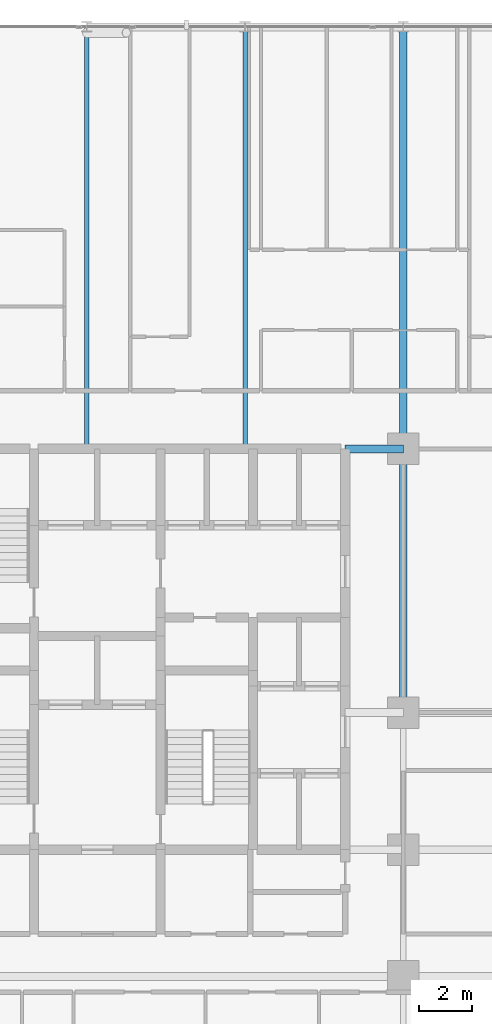
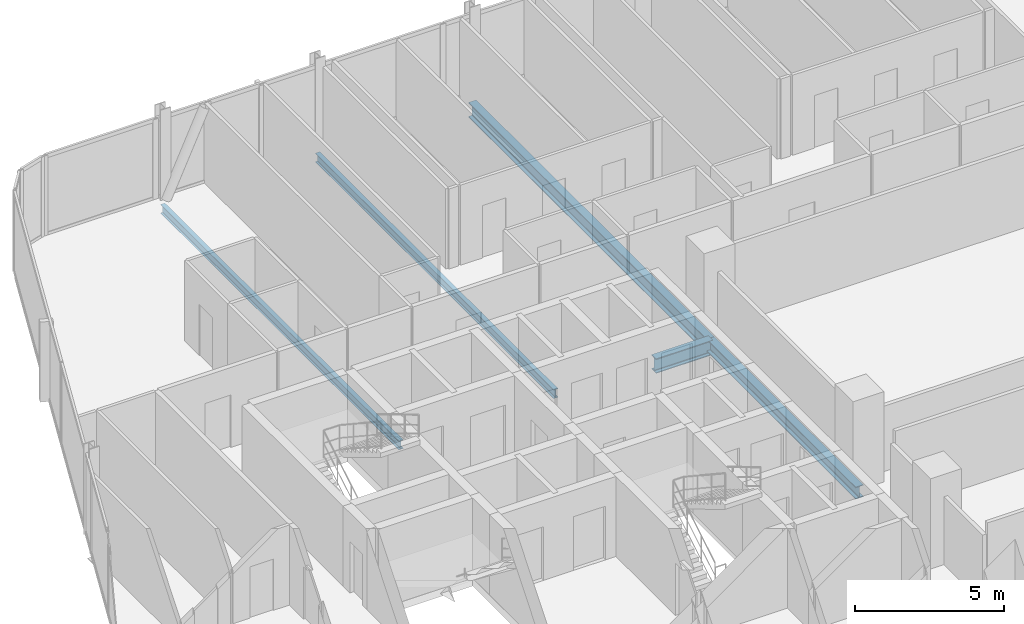
# One storey, part 13 of 34: 5 beams.
"""IFC4 building model written with IfcOpenShell, lengths in metres."""

import ifcopenshell
import ifcopenshell.guid

model = None  # the IFC model being written
_history = None  # IfcOwnerHistory: only IFC2X3 demands one
_inside = {}  # id of a spatial element -> (the spatial element, [elements in it])
_under = {}  # id of a project, library or spatial element -> (it, [spatial elements below it])
_declared = {}  # id of a project -> (the project, [libraries it declares])
_typed = {}  # id of a type object -> (the type object, [elements of that type])
_made_of = {}  # id of a material, layer set ... -> (it, [elements and type objects made of it])


def new_model(schema):
    """Start an empty IFC model of exactly this schema.

    Asked for "IFC4X3", IfcOpenShell would pick the latest addendum, in which some entities
    have other attributes; the version numbers below select the first issue.
    IFC2X3 requires an IfcOwnerHistory on every rooted entity: one is made here for all.
    """
    global model, _history
    if schema == "IFC4X3":
        model = ifcopenshell.file(schema_version=(4, 3, 0, 0))
    else:
        model = ifcopenshell.file(schema=schema)
    _inside.clear()
    _under.clear()
    _declared.clear()
    _typed.clear()
    _made_of.clear()
    _history = None
    if model.schema == "IFC2X3":
        org = make("IfcOrganization", Name="unknown")
        user = make(
            "IfcPersonAndOrganization",
            ThePerson=make("IfcPerson", FamilyName="unknown"),
            TheOrganization=org,
        )
        app = make(
            "IfcApplication",
            ApplicationDeveloper=org,
            Version="unknown",
            ApplicationFullName="unknown",
            ApplicationIdentifier="unknown",
        )
        _history = make(
            "IfcOwnerHistory",
            OwningUser=user,
            OwningApplication=app,
            ChangeAction="ADDED",
            CreationDate=0,
        )
    return model


def make(cls, **values):
    """One entity of the class cls with the attributes given. An attribute that is None is left unset."""
    return model.create_entity(
        cls, **{name: value for name, value in values.items() if value is not None}
    )


def rooted(cls, **values):
    """An entity with a GlobalId (a new one), such as an element, a storey or a relation."""
    return make(cls, GlobalId=ifcopenshell.guid.new(), OwnerHistory=_history, **values)


def si_unit(unit_type, name, prefix=None):
    """IfcSIUnit, for example si_unit("LENGTHUNIT", "METRE", prefix="MILLI")."""
    return make("IfcSIUnit", UnitType=unit_type, Prefix=prefix, Name=name)


def assignment(units):
    """IfcUnitAssignment: the units of a project."""
    return None if units is None else make("IfcUnitAssignment", Units=units)


def point(xyz):
    """IfcCartesianPoint."""
    return None if xyz is None else make("IfcCartesianPoint", Coordinates=xyz)


def direction(xyz):
    """IfcDirection."""
    return None if xyz is None else make("IfcDirection", DirectionRatios=xyz)


def frame(location, z_axis=None, x_axis=None):
    """IfcAxis2Placement3D, a coordinate frame: its origin and axes. An axis left out is left unset."""
    return make(
        "IfcAxis2Placement3D",
        Location=point(location),
        Axis=direction(z_axis),
        RefDirection=direction(x_axis),
    )


def frame_2d(location, x_axis=None):
    """IfcAxis2Placement2D, a coordinate frame in the plane: its origin and x axis."""
    return make(
        "IfcAxis2Placement2D", Location=point(location), RefDirection=direction(x_axis)
    )


def origin():
    """The frame at (0, 0, 0) with its axes left unset."""
    return frame((0.0, 0.0, 0.0))


def origin_2d():
    """The frame at (0, 0) in the plane with its x axis left unset."""
    return frame_2d((0.0, 0.0))


def place(relative_to, where):
    """IfcLocalPlacement: puts the frame where relative to a parent placement (None: the world)."""
    return make(
        "IfcLocalPlacement", PlacementRelTo=relative_to, RelativePlacement=where
    )


def context(
    kind, dimensions, precision=None, world=None, true_north=None, identifier=None
):
    """IfcGeometricRepresentationContext, for example the 3D "Model" context."""
    return make(
        "IfcGeometricRepresentationContext",
        ContextIdentifier=identifier,
        ContextType=kind,
        CoordinateSpaceDimension=dimensions,
        Precision=precision,
        WorldCoordinateSystem=world,
        TrueNorth=true_north,
    )


def subcontext(parent, identifier, kind, view, scale=None):
    """IfcGeometricRepresentationSubContext, for example "Body" below "Model"."""
    return make(
        "IfcGeometricRepresentationSubContext",
        ContextIdentifier=identifier,
        ContextType=kind,
        ParentContext=parent,
        TargetScale=scale,
        TargetView=view,
    )


def project(units=None, contexts=None):
    """IfcProject with its units and contexts."""
    return rooted(
        "IfcProject",
        Name="project",
        RepresentationContexts=contexts,
        UnitsInContext=assignment(units),
    )


def spatial(cls, under=None, at=None, **own):
    """A site, building, storey or space (cls), placed at a placement, below another one or the project."""
    s = rooted(cls, ObjectPlacement=at, **own)
    if under is not None:
        _under.setdefault(under.id(), (under, []))[1].append(s)
    return s


def profile(cls, at=None, kind="AREA", **sizes):
    """A parametric profile (cls). Its sizes go by their IFC names, for example OverallWidth=200.0."""
    return make(cls, ProfileType=kind, Position=at, **sizes)


def i_section(**sizes):
    """IfcIShapeProfileDef."""
    return profile("IfcIShapeProfileDef", **sizes)


def extrude(swept, where, along, depth):
    """IfcExtrudedAreaSolid: the profile swept, set in the frame where, extruded along a direction by depth."""
    return make(
        "IfcExtrudedAreaSolid",
        SweptArea=swept,
        Position=where,
        ExtrudedDirection=direction(along),
        Depth=depth,
    )


def shape(context_of_items, identifier, shape_type, items):
    """IfcShapeRepresentation: the items that make up one representation, for example the "Body"."""
    return make(
        "IfcShapeRepresentation",
        ContextOfItems=context_of_items,
        RepresentationIdentifier=identifier,
        RepresentationType=shape_type,
        Items=items,
    )


def material(Name=None, Category=None):
    """IfcMaterial."""
    return make("IfcMaterial", Name=Name, Category=Category)


def material_profile(
    of_material, cross_section, Name=None, Category=None, Priority=None
):
    """IfcMaterialProfile: a cross section and its material."""
    return make(
        "IfcMaterialProfile",
        Name=Name,
        Material=of_material,
        Profile=cross_section,
        Priority=Priority,
        Category=Category,
    )


def profile_set(profiles, Name=None, composite=None):
    """IfcMaterialProfileSet."""
    return make(
        "IfcMaterialProfileSet",
        Name=Name,
        MaterialProfiles=profiles,
        CompositeProfile=composite,
    )


def made_of(thing, what):
    """Note that an element or type object is made of a material, layer set ...; save() writes the relation."""
    if what is not None:
        _made_of.setdefault(what.id(), (what, []))[1].append(thing)
    return thing


def type_object(cls, material=None, **own):
    """A type object (cls), such as IfcWallType, which elements share."""
    return made_of(rooted(cls, **own), material)


def element(
    cls,
    number,
    at=None,
    inside=None,
    cuts=None,
    type_object=None,
    material=None,
    context=None,
    identifier="Body",
    shape_type=None,
    held_by="IfcProductDefinitionShape",
    body=None,
    shapes=None,
    **own,
):
    """One element of the class cls, such as IfcWall. Its Tag is "e" and its number.

    at: its placement. inside: the storey or other place that contains it. cuts: it is an
    opening in that element (IfcRelVoidsElement). A single representation is given by context,
    identifier, shape_type and body (its items); several are given by shapes. held_by: the class
    of the entity that holds the representations. save() writes the other relations.
    """
    e = rooted(cls, Tag="e%d" % number, ObjectPlacement=at, **own)
    if body is not None:
        shapes = [shape(context, identifier, shape_type, body)]
    if shapes is not None:
        e.Representation = make(held_by, Representations=shapes)
    if inside is not None:
        _inside.setdefault(inside.id(), (inside, []))[1].append(e)
    if cuts is not None:
        rooted(
            "IfcRelVoidsElement", RelatingBuildingElement=cuts, RelatedOpeningElement=e
        )
    if type_object is not None:
        _typed.setdefault(type_object.id(), (type_object, []))[1].append(e)
    return made_of(e, material)


def aggregate(whole, parts):
    """IfcRelAggregates: a whole, such as a stair, and the parts it consists of."""
    return rooted("IfcRelAggregates", RelatingObject=whole, RelatedObjects=parts)


def save(model, path):
    """Write the relations noted so far, then the file.

    IfcRelAggregates (storeys below a building ...), IfcRelContainedInSpatialStructure (elements
    in a storey), IfcRelDefinesByType, IfcRelAssociatesMaterial and IfcRelDeclares: one each for
    every whole, place, type object, material and project.
    """
    for whole, parts in _under.values():
        aggregate(whole, parts)
    for where, things in _inside.values():
        rooted(
            "IfcRelContainedInSpatialStructure",
            RelatedElements=things,
            RelatingStructure=where,
        )
    for kind, things in _typed.values():
        rooted("IfcRelDefinesByType", RelatedObjects=things, RelatingType=kind)
    for what, things in _made_of.values():
        rooted("IfcRelAssociatesMaterial", RelatedObjects=things, RelatingMaterial=what)
    for by, libraries in _declared.values():
        rooted("IfcRelDeclares", RelatingContext=by, RelatedDefinitions=libraries)
    model.write(path)


model = new_model("IFC4")

# Units and contexts
model_context = context("Model", 3, precision=1e-05, world=origin(), true_north=direction((0.0, 1.0)))
body_context = subcontext(model_context, "Body", "Model", "MODEL_VIEW")
ifc_project = project(units=[si_unit("LENGTHUNIT", "METRE"), si_unit("AREAUNIT", "SQUARE_METRE"), si_unit("VOLUMEUNIT", "CUBIC_METRE"), si_unit("PLANEANGLEUNIT", "RADIAN"), si_unit("MASSUNIT", "GRAM", prefix="KILO")], contexts=[model_context])

# Site, building, storey
site_placement = place(None, origin())
site = spatial("IfcSite", under=ifc_project, at=site_placement, CompositionType="ELEMENT")
building_placement = place(site_placement, origin())
building = spatial("IfcBuilding", under=site, at=building_placement, Name="Keshet Zoharim Tower", CompositionType="ELEMENT")
storey_placement = place(building_placement, frame((0.0, 0.0, 77.5)))
storey = spatial("IfcBuildingStorey", under=building, at=storey_placement, Name="L18", CompositionType="ELEMENT", Elevation=77.5)

# Beams
ifc_material = material(Name="Steel S355", Category="steel")
ifc_material_profile_1 = material_profile(ifc_material, i_section(OverallWidth=0.300048828125, OverallDepth=0.60009765625, WebThickness=0.015380859375, FlangeThickness=0.030029296875, FilletRadius=0.027099609375, at=origin_2d()), Name="HEB600")
ifc_profile_set_1 = profile_set([ifc_material_profile_1], Name="Steel S355")
beam_type_1 = type_object("IfcBeamType", Name="BM-CLK-HB600", PredefinedType="BEAM", material=ifc_profile_set_1)
beam_1_placement = place(storey_placement, frame((30.800048828125, 37.89990234375, -0.614990234375), z_axis=(1.0, 0.0, 0.0), x_axis=(0.0, 1.0, 0.0)))
element("IfcBeam", 1, at=beam_1_placement, inside=storey, type_object=beam_type_1, Name="L18 Core Wall Link Girder 03", PredefinedType="BEAM", context=body_context, shape_type="SweptSolid", body=[
    extrude(i_section(OverallWidth=0.300048828125, OverallDepth=0.60009765625, WebThickness=0.015380859375, FlangeThickness=0.030029296875, FilletRadius=0.027099609375, at=origin_2d()), origin(), (0.0, 0.0, 1.0), 2.199951171875),
])
ifc_material_profile_2 = material_profile(ifc_material, i_section(OverallWidth=0.169921875, OverallDepth=0.360107421875, WebThickness=0.008056640625, FlangeThickness=0.0126953125, FilletRadius=0.01806640625, at=origin_2d()), Name="IPE360")
ifc_profile_set_2 = profile_set([ifc_material_profile_2], Name="Steel S355")
beam_type_2 = type_object("IfcBeamType", Name="BM-JST-IP360", PredefinedType="JOIST", material=ifc_profile_set_2)
for number, where, z_axis, x_axis, name in (
    (2, (21.0, 37.89990234375, -0.4951171875), (0.0, 1.0, 0.0), (-1.0, 0.0, 0.0), "L18 Secondary Floor Joist J-001"),
    (3, (27.0, 37.89990234375, -0.4951171875), (0.0, 1.0, 0.0), (-1.0, 0.0, 0.0), "L18 Secondary Floor Joist J-002"),
):
    element("IfcBeam", number, at=place(storey_placement, frame(where, z_axis=z_axis, x_axis=x_axis)), inside=storey, type_object=beam_type_2, Name=name, PredefinedType="JOIST", context=body_context, shape_type="SweptSolid", body=[
        extrude(i_section(OverallWidth=0.169921875, OverallDepth=0.360107421875, WebThickness=0.008056640625, FlangeThickness=0.0126953125, FilletRadius=0.01806640625, at=origin_2d()), origin(), (0.0, 0.0, 1.0), 16.0),
    ])
ifc_material_profile_3 = material_profile(ifc_material, i_section(OverallWidth=0.300048828125, OverallDepth=0.60009765625, WebThickness=0.015380859375, FlangeThickness=0.030029296875, FilletRadius=0.027099609375, at=origin_2d()), Name="HEB600")
ifc_profile_set_3 = profile_set([ifc_material_profile_3], Name="Steel S355")
beam_type_3 = type_object("IfcBeamType", Name="BM-LNG-HB600", PredefinedType="BEAM", material=ifc_profile_set_3)
beam_2_placement = place(storey_placement, frame((33.0, 37.89990234375, -0.614990234375), z_axis=(0.0, 1.0, 0.0), x_axis=(-1.0, 0.0, 0.0)))
element("IfcBeam", 4, at=beam_2_placement, inside=storey, type_object=beam_type_3, Name="L18 Primary Girder Y-011", PredefinedType="BEAM", context=body_context, shape_type="SweptSolid", body=[
    extrude(i_section(OverallWidth=0.300048828125, OverallDepth=0.60009765625, WebThickness=0.015380859375, FlangeThickness=0.030029296875, FilletRadius=0.027099609375, at=origin_2d()), origin(), (0.0, 0.0, 1.0), 16.0),
])
ifc_material_profile_4 = material_profile(ifc_material, i_section(OverallWidth=0.300048828125, OverallDepth=0.5, WebThickness=0.014404296875, FlangeThickness=0.028076171875, FilletRadius=0.027099609375, at=origin_2d()), Name="HEB500")
ifc_profile_set_4 = profile_set([ifc_material_profile_4], Name="Steel S355")
beam_type_4 = type_object("IfcBeamType", Name="BM-MED-HB500", PredefinedType="BEAM", material=ifc_profile_set_4)
beam_3_placement = place(storey_placement, frame((33.0, 27.89990234375, -0.56494140625), z_axis=(0.0, 1.0, 0.0), x_axis=(-1.0, 0.0, 0.0)))
element("IfcBeam", 5, at=beam_3_placement, inside=storey, type_object=beam_type_4, Name="L18 Primary Girder Y-010", PredefinedType="BEAM", context=body_context, shape_type="SweptSolid", body=[
    extrude(i_section(OverallWidth=0.300048828125, OverallDepth=0.5, WebThickness=0.014404296875, FlangeThickness=0.028076171875, FilletRadius=0.027099609375, at=origin_2d()), origin(), (0.0, 0.0, 1.0), 10.0),
])

save(model, "model.ifc")
